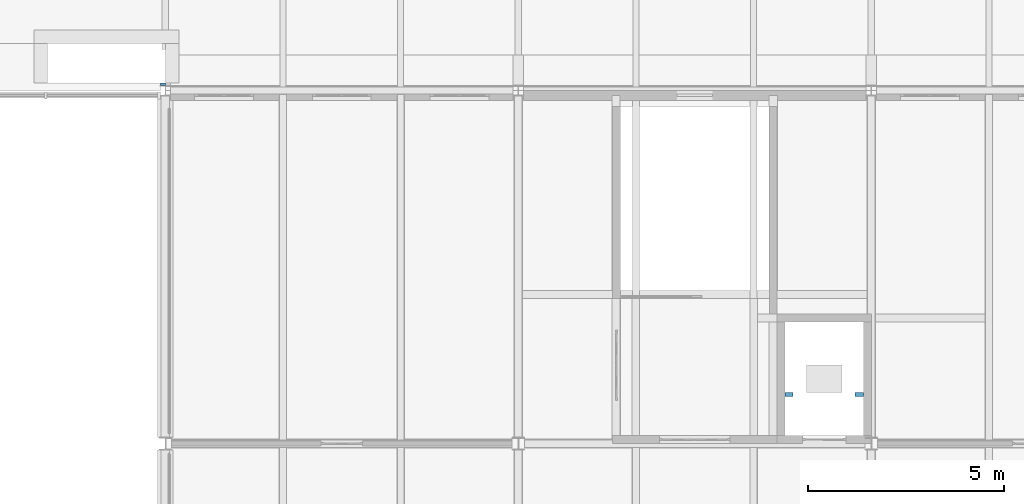
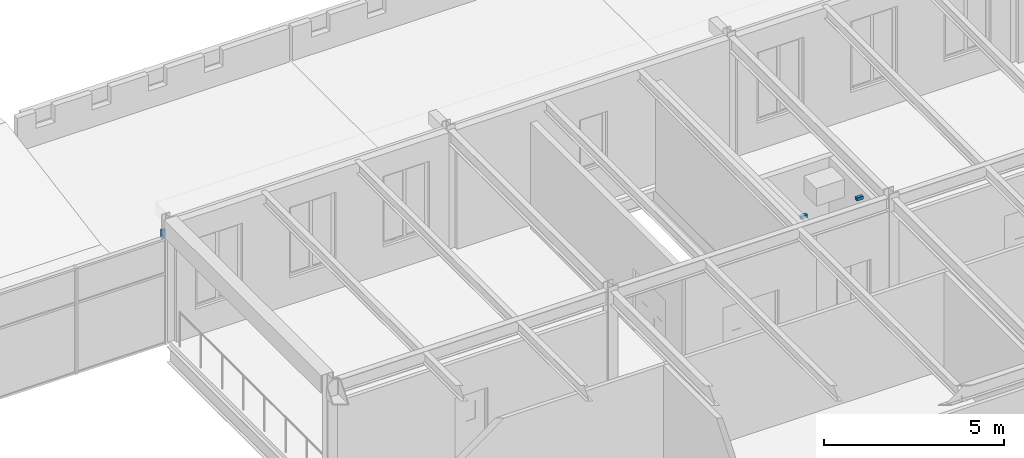
# One storey, part 96 of 123: 3 discrete accessories.
"""IFC4 building model written with IfcOpenShell, lengths in metres."""

from ifc_helpers import new_model, si_unit, direction, frame, origin, origin_2d, place, context, subcontext, project, spatial, rectangle, extrude, material, type_object, element, save


model = new_model("IFC4")

# Units and contexts
model_context = context("Model", 3, precision=1e-05, world=origin(), true_north=direction((0.0, 1.0)))
body_context = subcontext(model_context, "Body", "Model", "MODEL_VIEW")
ifc_project = project(units=[si_unit("LENGTHUNIT", "METRE"), si_unit("AREAUNIT", "SQUARE_METRE"), si_unit("VOLUMEUNIT", "CUBIC_METRE"), si_unit("PLANEANGLEUNIT", "RADIAN"), si_unit("MASSUNIT", "GRAM", prefix="KILO")], contexts=[model_context])

# Site, building, storey
site_placement = place(None, origin())
site = spatial("IfcSite", under=ifc_project, at=site_placement, CompositionType="ELEMENT")
building_placement = place(site_placement, origin())
building = spatial("IfcBuilding", under=site, at=building_placement, Name="Baradari Gate Terminus", CompositionType="ELEMENT")
storey_placement = place(building_placement, frame((0.0, 0.0, 7.5)))
storey = spatial("IfcBuildingStorey", under=building, at=storey_placement, Name="L01", CompositionType="ELEMENT", Elevation=7.5)

# Discrete accessories
ifc_material_1 = material(Name="Steel S355", Category="steel")
discrete_accessory_type_1 = type_object("IfcDiscreteAccessoryType", Name="Lift rail bracket RB-L1 100x100", PredefinedType="BRACKET", material=ifc_material_1)
for number, where, z_axis, x_axis, name in (
    (1, (186.905029296875, 100.25, 3.25), (0.0, 0.0, 1.0), (1.0, 0.0, 0.0), "Lift rail bracket LH3 1B"),
    (2, (188.695068359375, 100.25, 3.25), (0.0, 0.0, 1.0), (1.0, 0.0, 0.0), "Lift rail bracket LH3 2B"),
):
    element("IfcDiscreteAccessory", number, at=place(storey_placement, frame(where, z_axis=z_axis, x_axis=x_axis)), inside=storey, type_object=discrete_accessory_type_1, Name=name, PredefinedType="BRACKET", context=body_context, shape_type="SweptSolid", body=[
        extrude(rectangle(XDim=0.2099609375, YDim=0.10009765625, at=origin_2d()), origin(), (0.0, 0.0, 1.0), 0.10009765625),
    ])
ifc_material_2 = material(Name="Steel S355", Category="steel")
discrete_accessory_type_2 = type_object("IfcDiscreteAccessoryType", Name="Pier tie cleat PT1 120x300", PredefinedType="BRACKET", material=ifc_material_2)
discrete_accessory_placement = place(storey_placement, frame((170.93994140625, 108.1650390625, 3.35009765625), z_axis=(0.0, 0.0, 1.0), x_axis=(1.0, 0.0, 0.0)))
element("IfcDiscreteAccessory", 3, at=discrete_accessory_placement, inside=storey, type_object=discrete_accessory_type_2, Name="Pier tie cleat at 171 level 11", PredefinedType="BRACKET", context=body_context, shape_type="SweptSolid", body=[
    extrude(rectangle(XDim=0.1201171875, YDim=0.06982421875, at=origin_2d()), origin(), (0.0, 0.0, 1.0), 0.300048828125),
])

save(model, "model.ifc")
